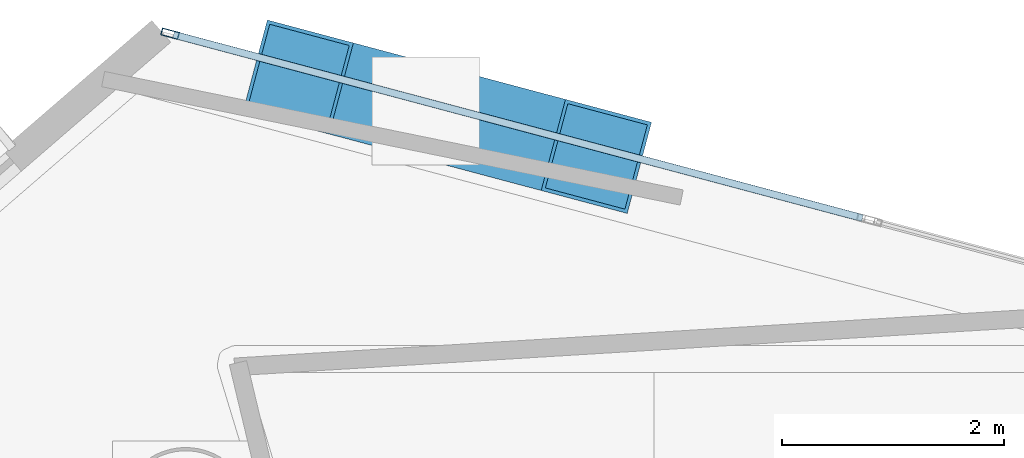
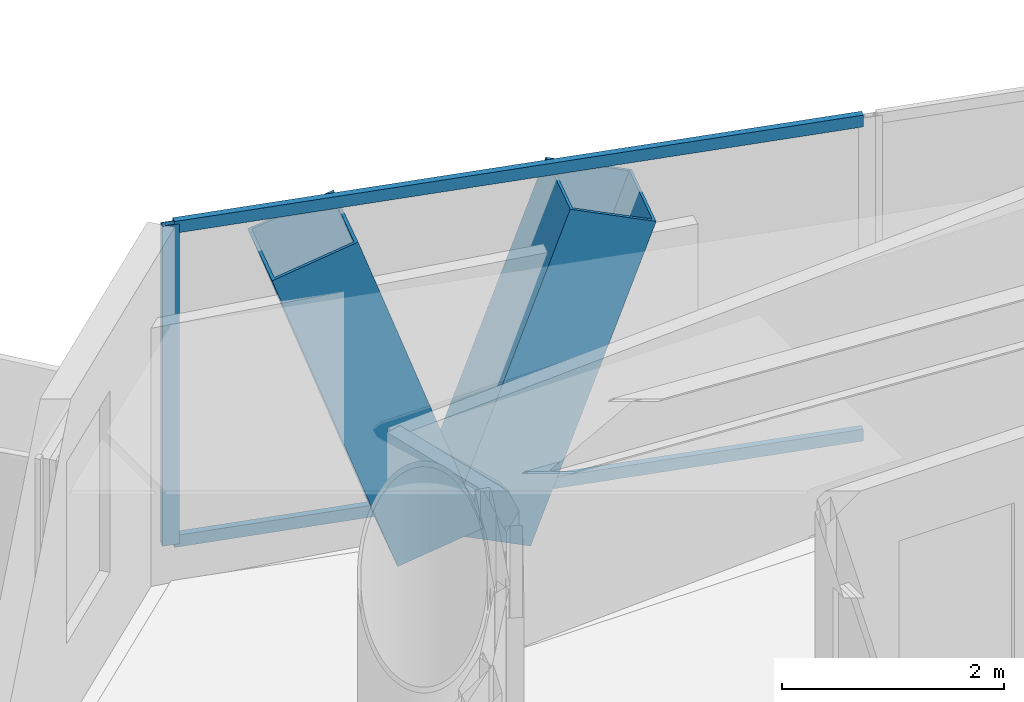
# One storey, part 14 of 21: 5 members, 1 element without a shape of its own.
"""IFC4 building model written with IfcOpenShell, lengths in metres."""

from ifc_helpers import new_model, si_unit, direction, frame, origin, origin_2d, place, context, subcontext, project, spatial, hollow_rectangle, extrude, material, layer, layer_set, material_profile, profile_set, type_object, element, aggregate, save


model = new_model("IFC4")

# Units and contexts
model_context = context("Model", 3, precision=1e-05, world=origin(), true_north=direction((0.0, 1.0)))
body_context = subcontext(model_context, "Body", "Model", "MODEL_VIEW")
ifc_project = project(units=[si_unit("LENGTHUNIT", "METRE"), si_unit("AREAUNIT", "SQUARE_METRE"), si_unit("VOLUMEUNIT", "CUBIC_METRE"), si_unit("PLANEANGLEUNIT", "RADIAN"), si_unit("MASSUNIT", "GRAM", prefix="KILO")], contexts=[model_context])

# Site, building, storey
site_placement = place(None, origin())
site = spatial("IfcSite", under=ifc_project, at=site_placement, CompositionType="ELEMENT")
building_placement = place(site_placement, origin())
building = spatial("IfcBuilding", under=site, at=building_placement, Name="Qianvela Tower", CompositionType="ELEMENT")
storey_placement = place(building_placement, frame((0.0, 0.0, 189.199951171875)))
storey = spatial("IfcBuildingStorey", under=building, at=storey_placement, Name="L48", CompositionType="ELEMENT", Elevation=189.199951171875)

# Curtain wall, members
ifc_material_1 = material(Name="Anodised Architectural Aluminium and Insulated Spandrel Panel", Category="aluminium")
ifc_layer = layer(ifc_material_1, 0.179931640625)
ifc_layer_set = layer_set([ifc_layer], Name="Anodised Architectural Aluminium and Insulated Spandrel Panel")
curtain_wall_type = type_object("IfcCurtainWallType", Name="CW-BRACEBAY", PredefinedType="USERDEFINED", material=ifc_layer_set)
curtain_wall_placement = place(storey_placement, origin())
curtain_wall = element("IfcCurtainWall", 1, at=curtain_wall_placement, inside=storey, type_object=curtain_wall_type, Name="L48 CW-BRACEBAY Curtain Wall 02B", ObjectType="CURTAIN_WALL_SYSTEM", PredefinedType="USERDEFINED")
ifc_material_2 = material(Name="Anodised Architectural Aluminium 6063-T6", Category="aluminium")
ifc_material_profile_1 = material_profile(ifc_material_2, hollow_rectangle(XDim=0.06494140625, YDim=0.159912109375, WallThickness=0.0048828125, at=origin_2d()), Name="ALU-MULL-65x160")
ifc_profile_set_1 = profile_set([ifc_material_profile_1], Name="Anodised Architectural Aluminium 6063-T6")
member_type_1 = type_object("IfcMemberType", Name="CW-BRACEBAY-MULL", PredefinedType="MULLION", material=ifc_profile_set_1)
member_1_placement = place(storey_placement, frame((26.289794921875, 41.32373046875, 0.0), z_axis=(0.0, 0.0, 1.0), x_axis=(-0.257347601007, -0.966318897805, 0.0)))
member_1 = element("IfcMember", 2, at=member_1_placement, type_object=member_type_1, Name="CW-9 mullion 2", PredefinedType="MULLION", context=body_context, shape_type="SweptSolid", body=[
    extrude(hollow_rectangle(XDim=0.06494140625, YDim=0.159912109375, WallThickness=0.0048828125, at=origin_2d()), origin(), (0.0, 0.0, 1.0), 3.52001953125),
])
ifc_material_3 = material(Name="Anodised Architectural Aluminium 6063-T6", Category="aluminium")
ifc_material_profile_2 = material_profile(ifc_material_3, hollow_rectangle(XDim=0.06494140625, YDim=0.1298828125, WallThickness=0.00439453125, at=origin_2d()), Name="ALU-TRAN-65x130")
ifc_profile_set_2 = profile_set([ifc_material_profile_2], Name="Anodised Architectural Aluminium 6063-T6")
member_type_2 = type_object("IfcMemberType", Name="CW-BRACEBAY-TRAN", PredefinedType="USERDEFINED", material=ifc_profile_set_2)
member_2_placement = place(storey_placement, frame((32.53369140625, 39.66064453125, 0.032470703125), z_axis=(-0.9663187144, 0.25734828968, 0.0), x_axis=(-0.25734828968, -0.9663187144, 0.0)))
member_2 = element("IfcMember", 3, at=member_2_placement, type_object=member_type_2, Name="CW-9 transom 1.1", ObjectType="TRANSOM", PredefinedType="USERDEFINED", context=body_context, shape_type="SweptSolid", body=[
    extrude(hollow_rectangle(XDim=0.06494140625, YDim=0.1298828125, WallThickness=0.00439453125, at=origin_2d()), origin(), (0.0, 0.0, 1.0), 6.42919921875),
])
member_3_placement = place(storey_placement, frame((32.53369140625, 39.66064453125, 3.487548828125), z_axis=(-0.9663187144, 0.25734828968, 0.0), x_axis=(-0.25734828968, -0.9663187144, 0.0)))
member_3 = element("IfcMember", 4, at=member_3_placement, type_object=member_type_2, Name="CW-9 transom 1.2", ObjectType="TRANSOM", PredefinedType="USERDEFINED", context=body_context, shape_type="SweptSolid", body=[
    extrude(hollow_rectangle(XDim=0.06494140625, YDim=0.1298828125, WallThickness=0.00439453125, at=origin_2d()), origin(), (0.0, 0.0, 1.0), 6.42919921875),
])
aggregate(curtain_wall, [member_1, member_2, member_3])

# Members
ifc_material_4 = material(Name="Steel Q420GJC", Category="steel")
ifc_material_profile_3 = material_profile(ifc_material_4, hollow_rectangle(XDim=0.85009765625, YDim=0.85009765625, WallThickness=0.031982421875, at=origin_2d()), Name="MBOX-850x850x32")
ifc_profile_set_3 = profile_set([ifc_material_profile_3], Name="Steel Q420GJC")
member_type_3 = type_object("IfcMemberType", Name="MBR-MBRACE-850", PredefinedType="BRACE", material=ifc_profile_set_3)
for number, where, z_axis, x_axis, name in (
    (5, (29.002197265625, 40.5185546875, -0.139892578125), (0.3181973272, -0.084783969599, 0.944225682484), (0.25746800995, 0.966286822767, 0.0), "L48 Tier 8 Exterior Mega-Brace F1A"),
    (6, (28.5771484375, 40.631591796875, -0.139892578125), (-0.3181973272, 0.084783969599, 0.944225682484), (-0.25746800995, -0.966286822767, 0.0), "L48 Tier 8 Exterior Mega-Brace F1B"),
):
    element("IfcMember", number, at=place(storey_placement, frame(where, z_axis=z_axis, x_axis=x_axis)), inside=storey, type_object=member_type_3, Name=name, PredefinedType="BRACE", context=body_context, shape_type="SweptSolid", body=[
        extrude(hollow_rectangle(XDim=0.85009765625, YDim=0.85009765625, WallThickness=0.031982421875, at=origin_2d()), origin(), (0.0, 0.0, 1.0), 3.55615234375),
    ])

save(model, "model.ifc")
